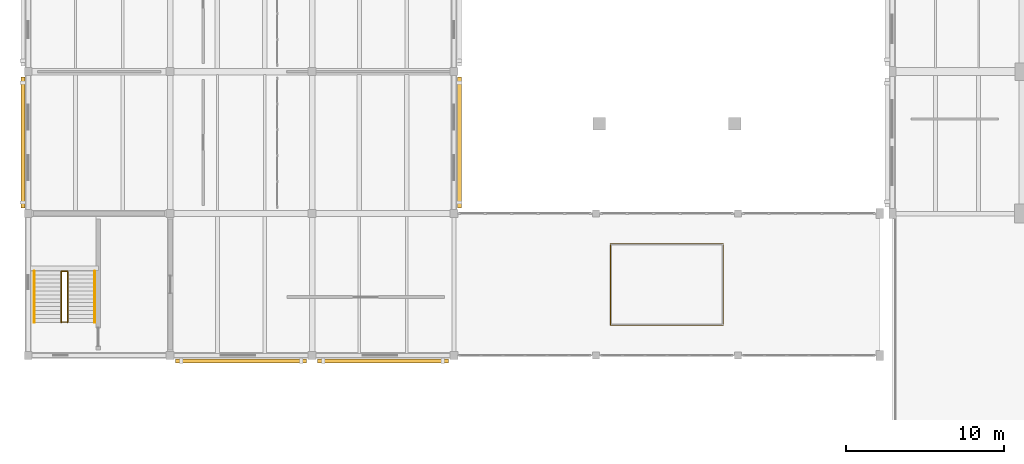
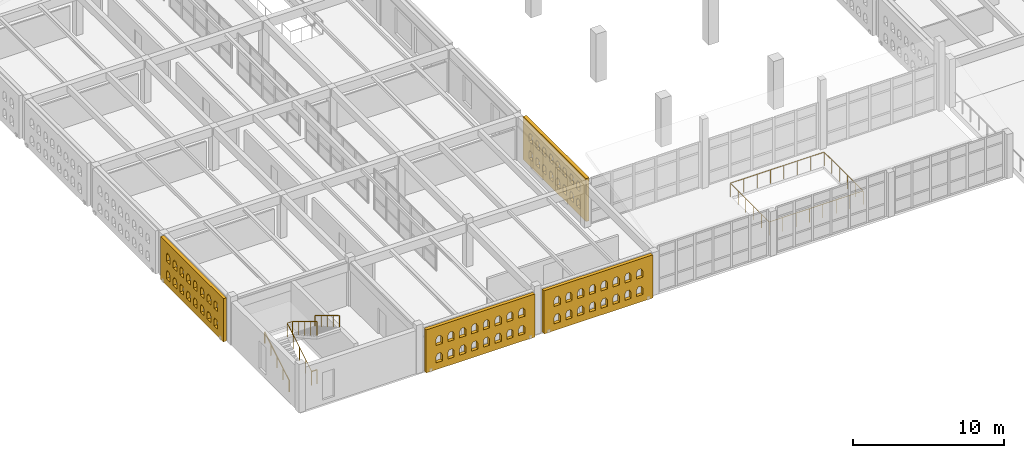
# One storey, part 142 of 156: 5 railings, 4 coverings.
"""IFC4 building model written with IfcOpenShell, lengths in metres."""

from ifc_helpers import new_model, si_unit, direction, frame, origin, origin_2d, place, context, subcontext, project, spatial, polyline, circle, outline, extrude, material, layer, layer_set, type_object, element, save


model = new_model("IFC4")

# Units and contexts
model_context = context("Model", 3, precision=1e-05, world=origin(), true_north=direction((0.0, 1.0)))
body_context = subcontext(model_context, "Body", "Model", "MODEL_VIEW")
ifc_project = project(units=[si_unit("LENGTHUNIT", "METRE"), si_unit("AREAUNIT", "SQUARE_METRE"), si_unit("VOLUMEUNIT", "CUBIC_METRE"), si_unit("PLANEANGLEUNIT", "RADIAN"), si_unit("MASSUNIT", "GRAM", prefix="KILO")], contexts=[model_context])

# Site, building, storey
site_placement = place(None, origin())
site = spatial("IfcSite", under=ifc_project, at=site_placement, CompositionType="ELEMENT")
building_placement = place(site_placement, origin())
building = spatial("IfcBuilding", under=site, at=building_placement, Name="Ornek Quay Market", CompositionType="ELEMENT")
storey_placement = place(building_placement, frame((0.0, 0.0, 4.5)))
storey = spatial("IfcBuildingStorey", under=building, at=storey_placement, Name="L01", CompositionType="ELEMENT", Elevation=4.5)

# Coverings
ifc_material_1 = material(Name="Frost-resistant facing clay brick M200 F100", Category="masonry")
ifc_layer = layer(ifc_material_1, 0.25, Name="Frost-resistant facing clay brick M200 F100", Category="masonry")
ifc_layer_set = layer_set([ifc_layer], Name="Frost-resistant facing clay brick M200 F100")
covering_type = type_object("IfcCoveringType", Name="COV-BRICK-LATTICE-250", PredefinedType="CLADDING", material=ifc_layer_set)
covering_1_placement = place(storey_placement, frame((-0.340087890625, 29.35009765625, 0.0), z_axis=(0.0, 0.0, 1.0), x_axis=(0.0, 1.0, 0.0)))
element("IfcCovering", 1, at=covering_1_placement, inside=storey, type_object=covering_type, Name="Arched brick lattice screen BLS-013", PredefinedType="CLADDING", context=body_context, shape_type="SweptSolid", body=[
    extrude(outline(polyline([(0.0, 0.0), (8.2998046875, 0.0), (8.2998046875, 3.47998046875), (0.0, 3.47998046875), (0.0, 0.0)]), holes=[polyline([(0.760009765625, 0.550048828125), (1.239990234375, 0.550048828125), (1.239990234375, 1.050048828125), (1.1201171875, 1.2578125), (0.8798828125, 1.2578125), (0.760009765625, 1.050048828125), (0.760009765625, 0.550048828125)]), polyline([(0.760009765625, 1.949951171875), (1.239990234375, 1.949951171875), (1.239990234375, 2.449951171875), (1.1201171875, 2.65771484375), (0.8798828125, 2.65771484375), (0.760009765625, 2.449951171875), (0.760009765625, 1.949951171875)]), polyline([(1.659912109375, 0.550048828125), (2.139892578125, 0.550048828125), (2.139892578125, 1.050048828125), (2.02001953125, 1.2578125), (1.780029296875, 1.2578125), (1.659912109375, 1.050048828125), (1.659912109375, 0.550048828125)]), polyline([(1.659912109375, 1.949951171875), (2.139892578125, 1.949951171875), (2.139892578125, 2.449951171875), (2.02001953125, 2.65771484375), (1.780029296875, 2.65771484375), (1.659912109375, 2.449951171875), (1.659912109375, 1.949951171875)]), polyline([(2.56005859375, 0.550048828125), (3.0400390625, 0.550048828125), (3.0400390625, 1.050048828125), (2.919921875, 1.2578125), (2.679931640625, 1.2578125), (2.56005859375, 1.050048828125), (2.56005859375, 0.550048828125)]), polyline([(2.56005859375, 1.949951171875), (3.0400390625, 1.949951171875), (3.0400390625, 2.449951171875), (2.919921875, 2.65771484375), (2.679931640625, 2.65771484375), (2.56005859375, 2.449951171875), (2.56005859375, 1.949951171875)]), polyline([(3.4599609375, 0.550048828125), (3.93994140625, 0.550048828125), (3.93994140625, 1.050048828125), (3.820068359375, 1.2578125), (3.580078125, 1.2578125), (3.4599609375, 1.050048828125), (3.4599609375, 0.550048828125)]), polyline([(3.4599609375, 1.949951171875), (3.93994140625, 1.949951171875), (3.93994140625, 2.449951171875), (3.820068359375, 2.65771484375), (3.580078125, 2.65771484375), (3.4599609375, 2.449951171875), (3.4599609375, 1.949951171875)]), polyline([(4.360107421875, 0.550048828125), (4.840087890625, 0.550048828125), (4.840087890625, 1.050048828125), (4.719970703125, 1.2578125), (4.47998046875, 1.2578125), (4.360107421875, 1.050048828125), (4.360107421875, 0.550048828125)]), polyline([(4.360107421875, 1.949951171875), (4.840087890625, 1.949951171875), (4.840087890625, 2.449951171875), (4.719970703125, 2.65771484375), (4.47998046875, 2.65771484375), (4.360107421875, 2.449951171875), (4.360107421875, 1.949951171875)]), polyline([(5.260009765625, 0.550048828125), (5.739990234375, 0.550048828125), (5.739990234375, 1.050048828125), (5.6201171875, 1.2578125), (5.3798828125, 1.2578125), (5.260009765625, 1.050048828125), (5.260009765625, 0.550048828125)]), polyline([(5.260009765625, 1.949951171875), (5.739990234375, 1.949951171875), (5.739990234375, 2.449951171875), (5.6201171875, 2.65771484375), (5.3798828125, 2.65771484375), (5.260009765625, 2.449951171875), (5.260009765625, 1.949951171875)]), polyline([(6.159912109375, 0.550048828125), (6.639892578125, 0.550048828125), (6.639892578125, 1.050048828125), (6.52001953125, 1.2578125), (6.280029296875, 1.2578125), (6.159912109375, 1.050048828125), (6.159912109375, 0.550048828125)]), polyline([(6.159912109375, 1.949951171875), (6.639892578125, 1.949951171875), (6.639892578125, 2.449951171875), (6.52001953125, 2.65771484375), (6.280029296875, 2.65771484375), (6.159912109375, 2.449951171875), (6.159912109375, 1.949951171875)]), polyline([(7.06005859375, 0.550048828125), (7.5400390625, 0.550048828125), (7.5400390625, 1.050048828125), (7.419921875, 1.2578125), (7.179931640625, 1.2578125), (7.06005859375, 1.050048828125), (7.06005859375, 0.550048828125)]), polyline([(7.06005859375, 1.949951171875), (7.5400390625, 1.949951171875), (7.5400390625, 2.449951171875), (7.419921875, 2.65771484375), (7.179931640625, 2.65771484375), (7.06005859375, 2.449951171875), (7.06005859375, 1.949951171875)])]), frame((0.0, 0.125, 0.0), z_axis=(0.0, -1.0, 0.0), x_axis=(1.0, 0.0, 0.0)), (0.0, 0.0, 1.0), 0.25),
])
covering_2_placement = place(storey_placement, frame((27.340087890625, 29.35009765625, 0.0), z_axis=(0.0, 0.0, 1.0), x_axis=(0.0, 1.0, 0.0)))
element("IfcCovering", 2, at=covering_2_placement, inside=storey, type_object=covering_type, Name="Arched brick lattice screen BLS-021", PredefinedType="CLADDING", context=body_context, shape_type="SweptSolid", body=[
    extrude(outline(polyline([(0.0, 0.0), (8.2998046875, 0.0), (8.2998046875, 3.47998046875), (0.0, 3.47998046875), (0.0, 0.0)]), holes=[polyline([(0.760009765625, 0.550048828125), (1.239990234375, 0.550048828125), (1.239990234375, 1.050048828125), (1.1201171875, 1.2578125), (0.8798828125, 1.2578125), (0.760009765625, 1.050048828125), (0.760009765625, 0.550048828125)]), polyline([(0.760009765625, 1.949951171875), (1.239990234375, 1.949951171875), (1.239990234375, 2.449951171875), (1.1201171875, 2.65771484375), (0.8798828125, 2.65771484375), (0.760009765625, 2.449951171875), (0.760009765625, 1.949951171875)]), polyline([(1.659912109375, 0.550048828125), (2.139892578125, 0.550048828125), (2.139892578125, 1.050048828125), (2.02001953125, 1.2578125), (1.780029296875, 1.2578125), (1.659912109375, 1.050048828125), (1.659912109375, 0.550048828125)]), polyline([(1.659912109375, 1.949951171875), (2.139892578125, 1.949951171875), (2.139892578125, 2.449951171875), (2.02001953125, 2.65771484375), (1.780029296875, 2.65771484375), (1.659912109375, 2.449951171875), (1.659912109375, 1.949951171875)]), polyline([(2.56005859375, 0.550048828125), (3.0400390625, 0.550048828125), (3.0400390625, 1.050048828125), (2.919921875, 1.2578125), (2.679931640625, 1.2578125), (2.56005859375, 1.050048828125), (2.56005859375, 0.550048828125)]), polyline([(2.56005859375, 1.949951171875), (3.0400390625, 1.949951171875), (3.0400390625, 2.449951171875), (2.919921875, 2.65771484375), (2.679931640625, 2.65771484375), (2.56005859375, 2.449951171875), (2.56005859375, 1.949951171875)]), polyline([(3.4599609375, 0.550048828125), (3.93994140625, 0.550048828125), (3.93994140625, 1.050048828125), (3.820068359375, 1.2578125), (3.580078125, 1.2578125), (3.4599609375, 1.050048828125), (3.4599609375, 0.550048828125)]), polyline([(3.4599609375, 1.949951171875), (3.93994140625, 1.949951171875), (3.93994140625, 2.449951171875), (3.820068359375, 2.65771484375), (3.580078125, 2.65771484375), (3.4599609375, 2.449951171875), (3.4599609375, 1.949951171875)]), polyline([(4.360107421875, 0.550048828125), (4.840087890625, 0.550048828125), (4.840087890625, 1.050048828125), (4.719970703125, 1.2578125), (4.47998046875, 1.2578125), (4.360107421875, 1.050048828125), (4.360107421875, 0.550048828125)]), polyline([(4.360107421875, 1.949951171875), (4.840087890625, 1.949951171875), (4.840087890625, 2.449951171875), (4.719970703125, 2.65771484375), (4.47998046875, 2.65771484375), (4.360107421875, 2.449951171875), (4.360107421875, 1.949951171875)]), polyline([(5.260009765625, 0.550048828125), (5.739990234375, 0.550048828125), (5.739990234375, 1.050048828125), (5.6201171875, 1.2578125), (5.3798828125, 1.2578125), (5.260009765625, 1.050048828125), (5.260009765625, 0.550048828125)]), polyline([(5.260009765625, 1.949951171875), (5.739990234375, 1.949951171875), (5.739990234375, 2.449951171875), (5.6201171875, 2.65771484375), (5.3798828125, 2.65771484375), (5.260009765625, 2.449951171875), (5.260009765625, 1.949951171875)]), polyline([(6.159912109375, 0.550048828125), (6.639892578125, 0.550048828125), (6.639892578125, 1.050048828125), (6.52001953125, 1.2578125), (6.280029296875, 1.2578125), (6.159912109375, 1.050048828125), (6.159912109375, 0.550048828125)]), polyline([(6.159912109375, 1.949951171875), (6.639892578125, 1.949951171875), (6.639892578125, 2.449951171875), (6.52001953125, 2.65771484375), (6.280029296875, 2.65771484375), (6.159912109375, 2.449951171875), (6.159912109375, 1.949951171875)]), polyline([(7.06005859375, 0.550048828125), (7.5400390625, 0.550048828125), (7.5400390625, 1.050048828125), (7.419921875, 1.2578125), (7.179931640625, 1.2578125), (7.06005859375, 1.050048828125), (7.06005859375, 0.550048828125)]), polyline([(7.06005859375, 1.949951171875), (7.5400390625, 1.949951171875), (7.5400390625, 2.449951171875), (7.419921875, 2.65771484375), (7.179931640625, 2.65771484375), (7.06005859375, 2.449951171875), (7.06005859375, 1.949951171875)])]), frame((0.0, 0.125, 0.0), z_axis=(0.0, -1.0, 0.0), x_axis=(1.0, 0.0, 0.0)), (0.0, 0.0, 1.0), 0.25),
])
covering_3_placement = place(storey_placement, frame((9.35009765625, 19.659912109375, 0.0), z_axis=(0.0, 0.0, 1.0), x_axis=(1.0, 0.0, 0.0)))
element("IfcCovering", 3, at=covering_3_placement, inside=storey, type_object=covering_type, Name="Arched brick lattice screen BLS-028", PredefinedType="CLADDING", context=body_context, shape_type="SweptSolid", body=[
    extrude(outline(polyline([(0.0, 0.0), (8.2998046875, 0.0), (8.2998046875, 3.47998046875), (0.0, 3.47998046875), (0.0, 0.0)]), holes=[polyline([(0.760009765625, 0.550048828125), (1.239990234375, 0.550048828125), (1.239990234375, 1.050048828125), (1.1201171875, 1.2578125), (0.8798828125, 1.2578125), (0.760009765625, 1.050048828125), (0.760009765625, 0.550048828125)]), polyline([(0.760009765625, 1.949951171875), (1.239990234375, 1.949951171875), (1.239990234375, 2.449951171875), (1.1201171875, 2.65771484375), (0.8798828125, 2.65771484375), (0.760009765625, 2.449951171875), (0.760009765625, 1.949951171875)]), polyline([(1.659912109375, 0.550048828125), (2.139892578125, 0.550048828125), (2.139892578125, 1.050048828125), (2.02001953125, 1.2578125), (1.780029296875, 1.2578125), (1.659912109375, 1.050048828125), (1.659912109375, 0.550048828125)]), polyline([(1.659912109375, 1.949951171875), (2.139892578125, 1.949951171875), (2.139892578125, 2.449951171875), (2.02001953125, 2.65771484375), (1.780029296875, 2.65771484375), (1.659912109375, 2.449951171875), (1.659912109375, 1.949951171875)]), polyline([(2.56005859375, 0.550048828125), (3.0400390625, 0.550048828125), (3.0400390625, 1.050048828125), (2.919921875, 1.2578125), (2.679931640625, 1.2578125), (2.56005859375, 1.050048828125), (2.56005859375, 0.550048828125)]), polyline([(2.56005859375, 1.949951171875), (3.0400390625, 1.949951171875), (3.0400390625, 2.449951171875), (2.919921875, 2.65771484375), (2.679931640625, 2.65771484375), (2.56005859375, 2.449951171875), (2.56005859375, 1.949951171875)]), polyline([(3.4599609375, 0.550048828125), (3.93994140625, 0.550048828125), (3.93994140625, 1.050048828125), (3.820068359375, 1.2578125), (3.580078125, 1.2578125), (3.4599609375, 1.050048828125), (3.4599609375, 0.550048828125)]), polyline([(3.4599609375, 1.949951171875), (3.93994140625, 1.949951171875), (3.93994140625, 2.449951171875), (3.820068359375, 2.65771484375), (3.580078125, 2.65771484375), (3.4599609375, 2.449951171875), (3.4599609375, 1.949951171875)]), polyline([(4.360107421875, 0.550048828125), (4.840087890625, 0.550048828125), (4.840087890625, 1.050048828125), (4.719970703125, 1.2578125), (4.47998046875, 1.2578125), (4.360107421875, 1.050048828125), (4.360107421875, 0.550048828125)]), polyline([(4.360107421875, 1.949951171875), (4.840087890625, 1.949951171875), (4.840087890625, 2.449951171875), (4.719970703125, 2.65771484375), (4.47998046875, 2.65771484375), (4.360107421875, 2.449951171875), (4.360107421875, 1.949951171875)]), polyline([(5.260009765625, 0.550048828125), (5.739990234375, 0.550048828125), (5.739990234375, 1.050048828125), (5.6201171875, 1.2578125), (5.3798828125, 1.2578125), (5.260009765625, 1.050048828125), (5.260009765625, 0.550048828125)]), polyline([(5.260009765625, 1.949951171875), (5.739990234375, 1.949951171875), (5.739990234375, 2.449951171875), (5.6201171875, 2.65771484375), (5.3798828125, 2.65771484375), (5.260009765625, 2.449951171875), (5.260009765625, 1.949951171875)]), polyline([(6.159912109375, 0.550048828125), (6.639892578125, 0.550048828125), (6.639892578125, 1.050048828125), (6.52001953125, 1.2578125), (6.280029296875, 1.2578125), (6.159912109375, 1.050048828125), (6.159912109375, 0.550048828125)]), polyline([(6.159912109375, 1.949951171875), (6.639892578125, 1.949951171875), (6.639892578125, 2.449951171875), (6.52001953125, 2.65771484375), (6.280029296875, 2.65771484375), (6.159912109375, 2.449951171875), (6.159912109375, 1.949951171875)]), polyline([(7.06005859375, 0.550048828125), (7.5400390625, 0.550048828125), (7.5400390625, 1.050048828125), (7.419921875, 1.2578125), (7.179931640625, 1.2578125), (7.06005859375, 1.050048828125), (7.06005859375, 0.550048828125)]), polyline([(7.06005859375, 1.949951171875), (7.5400390625, 1.949951171875), (7.5400390625, 2.449951171875), (7.419921875, 2.65771484375), (7.179931640625, 2.65771484375), (7.06005859375, 2.449951171875), (7.06005859375, 1.949951171875)])]), frame((0.0, 0.125, 0.0), z_axis=(0.0, -1.0, 0.0), x_axis=(1.0, 0.0, 0.0)), (0.0, 0.0, 1.0), 0.25),
])
covering_4_placement = place(storey_placement, frame((18.35009765625, 19.659912109375, 0.0), z_axis=(0.0, 0.0, 1.0), x_axis=(1.0, 0.0, 0.0)))
element("IfcCovering", 4, at=covering_4_placement, inside=storey, type_object=covering_type, Name="Arched brick lattice screen BLS-029", PredefinedType="CLADDING", context=body_context, shape_type="SweptSolid", body=[
    extrude(outline(polyline([(0.0, 0.0), (8.2998046875, 0.0), (8.2998046875, 3.47998046875), (0.0, 3.47998046875), (0.0, 0.0)]), holes=[polyline([(0.760009765625, 0.550048828125), (1.239990234375, 0.550048828125), (1.239990234375, 1.050048828125), (1.1201171875, 1.2578125), (0.8798828125, 1.2578125), (0.760009765625, 1.050048828125), (0.760009765625, 0.550048828125)]), polyline([(0.760009765625, 1.949951171875), (1.239990234375, 1.949951171875), (1.239990234375, 2.449951171875), (1.1201171875, 2.65771484375), (0.8798828125, 2.65771484375), (0.760009765625, 2.449951171875), (0.760009765625, 1.949951171875)]), polyline([(1.659912109375, 0.550048828125), (2.139892578125, 0.550048828125), (2.139892578125, 1.050048828125), (2.02001953125, 1.2578125), (1.780029296875, 1.2578125), (1.659912109375, 1.050048828125), (1.659912109375, 0.550048828125)]), polyline([(1.659912109375, 1.949951171875), (2.139892578125, 1.949951171875), (2.139892578125, 2.449951171875), (2.02001953125, 2.65771484375), (1.780029296875, 2.65771484375), (1.659912109375, 2.449951171875), (1.659912109375, 1.949951171875)]), polyline([(2.56005859375, 0.550048828125), (3.0400390625, 0.550048828125), (3.0400390625, 1.050048828125), (2.919921875, 1.2578125), (2.679931640625, 1.2578125), (2.56005859375, 1.050048828125), (2.56005859375, 0.550048828125)]), polyline([(2.56005859375, 1.949951171875), (3.0400390625, 1.949951171875), (3.0400390625, 2.449951171875), (2.919921875, 2.65771484375), (2.679931640625, 2.65771484375), (2.56005859375, 2.449951171875), (2.56005859375, 1.949951171875)]), polyline([(3.4599609375, 0.550048828125), (3.93994140625, 0.550048828125), (3.93994140625, 1.050048828125), (3.820068359375, 1.2578125), (3.580078125, 1.2578125), (3.4599609375, 1.050048828125), (3.4599609375, 0.550048828125)]), polyline([(3.4599609375, 1.949951171875), (3.93994140625, 1.949951171875), (3.93994140625, 2.449951171875), (3.820068359375, 2.65771484375), (3.580078125, 2.65771484375), (3.4599609375, 2.449951171875), (3.4599609375, 1.949951171875)]), polyline([(4.360107421875, 0.550048828125), (4.840087890625, 0.550048828125), (4.840087890625, 1.050048828125), (4.719970703125, 1.2578125), (4.47998046875, 1.2578125), (4.360107421875, 1.050048828125), (4.360107421875, 0.550048828125)]), polyline([(4.360107421875, 1.949951171875), (4.840087890625, 1.949951171875), (4.840087890625, 2.449951171875), (4.719970703125, 2.65771484375), (4.47998046875, 2.65771484375), (4.360107421875, 2.449951171875), (4.360107421875, 1.949951171875)]), polyline([(5.260009765625, 0.550048828125), (5.739990234375, 0.550048828125), (5.739990234375, 1.050048828125), (5.6201171875, 1.2578125), (5.3798828125, 1.2578125), (5.260009765625, 1.050048828125), (5.260009765625, 0.550048828125)]), polyline([(5.260009765625, 1.949951171875), (5.739990234375, 1.949951171875), (5.739990234375, 2.449951171875), (5.6201171875, 2.65771484375), (5.3798828125, 2.65771484375), (5.260009765625, 2.449951171875), (5.260009765625, 1.949951171875)]), polyline([(6.159912109375, 0.550048828125), (6.639892578125, 0.550048828125), (6.639892578125, 1.050048828125), (6.52001953125, 1.2578125), (6.280029296875, 1.2578125), (6.159912109375, 1.050048828125), (6.159912109375, 0.550048828125)]), polyline([(6.159912109375, 1.949951171875), (6.639892578125, 1.949951171875), (6.639892578125, 2.449951171875), (6.52001953125, 2.65771484375), (6.280029296875, 2.65771484375), (6.159912109375, 2.449951171875), (6.159912109375, 1.949951171875)]), polyline([(7.06005859375, 0.550048828125), (7.5400390625, 0.550048828125), (7.5400390625, 1.050048828125), (7.419921875, 1.2578125), (7.179931640625, 1.2578125), (7.06005859375, 1.050048828125), (7.06005859375, 0.550048828125)]), polyline([(7.06005859375, 1.949951171875), (7.5400390625, 1.949951171875), (7.5400390625, 2.449951171875), (7.419921875, 2.65771484375), (7.179931640625, 2.65771484375), (7.06005859375, 2.449951171875), (7.06005859375, 1.949951171875)])]), frame((0.0, 0.125, 0.0), z_axis=(0.0, -1.0, 0.0), x_axis=(1.0, 0.0, 0.0)), (0.0, 0.0, 1.0), 0.25),
])

# Railings
ifc_material_2 = material(Name="Painted steel S355 and vertical infill bars", Category="steel")
railing_type_1 = type_object("IfcRailingType", Name="RL-GUARD-GAL-1100", PredefinedType="GUARDRAIL", material=ifc_material_2)
railing_1_placement = place(storey_placement, frame((36.919921875, 21.919921875, 0.0)))
element("IfcRailing", 5, at=railing_1_placement, inside=storey, type_object=railing_type_1, Name="Railing GR-01-133", PredefinedType="GUARDRAIL", context=body_context, shape_type="SweptSolid", body=[
    extrude(circle(Radius=0.02392578125, at=origin_2d()), frame((0.0, 0.0, 1.09619140625), z_axis=(1.0, 0.0, 0.0), x_axis=(0.0, 1.0, 0.0)), (0.0, 0.0, 1.0), 7.130126953125),
    extrude(circle(Radius=0.02392578125, at=origin_2d()), frame((7.16015625, 0.030029296875, 1.09619140625), z_axis=(0.0, 1.0, 0.0), x_axis=(-1.0, 0.0, 0.0)), (0.0, 0.0, 1.0), 5.10009765625),
    extrude(circle(Radius=0.02392578125, at=origin_2d()), frame((7.130126953125, 5.16015625, 1.09619140625), z_axis=(-1.0, 0.0, 0.0), x_axis=(0.0, -1.0, 0.0)), (0.0, 0.0, 1.0), 7.10009765625),
    extrude(circle(Radius=0.02392578125, at=origin_2d()), frame((0.0, 5.130126953125, 1.09619140625), z_axis=(0.0, -1.0, 0.0), x_axis=(1.0, 0.0, 0.0)), (0.0, 0.0, 1.0), 5.130126953125),
    extrude(circle(Radius=0.02099609375, at=origin_2d()), origin(), (0.0, 0.0, 1.0), 1.068115234375),
    extrude(circle(Radius=0.02099609375, at=origin_2d()), frame((1.02294921875, 0.0, 0.0)), (0.0, 0.0, 1.0), 1.068115234375),
    extrude(circle(Radius=0.02099609375, at=origin_2d()), frame((2.045654296875, 0.0, 0.0)), (0.0, 0.0, 1.0), 1.068115234375),
    extrude(circle(Radius=0.02099609375, at=origin_2d()), frame((3.068603515625, 0.0, 0.0)), (0.0, 0.0, 1.0), 1.068115234375),
    extrude(circle(Radius=0.02099609375, at=origin_2d()), frame((4.091552734375, 0.0, 0.0)), (0.0, 0.0, 1.0), 1.068115234375),
    extrude(circle(Radius=0.02099609375, at=origin_2d()), frame((5.114501953125, 0.0, 0.0)), (0.0, 0.0, 1.0), 1.068115234375),
    extrude(circle(Radius=0.02099609375, at=origin_2d()), frame((6.13720703125, 0.0, 0.0)), (0.0, 0.0, 1.0), 1.068115234375),
    extrude(circle(Radius=0.02099609375, at=origin_2d()), frame((7.16015625, 0.0, 0.0)), (0.0, 0.0, 1.0), 1.068115234375),
    extrude(circle(Radius=0.02099609375, at=origin_2d()), frame((7.16015625, 1.031982421875, 0.0)), (0.0, 0.0, 1.0), 1.068115234375),
    extrude(circle(Radius=0.02099609375, at=origin_2d()), frame((7.16015625, 2.06396484375, 0.0)), (0.0, 0.0, 1.0), 1.068115234375),
    extrude(circle(Radius=0.02099609375, at=origin_2d()), frame((7.16015625, 3.09619140625, 0.0)), (0.0, 0.0, 1.0), 1.068115234375),
    extrude(circle(Radius=0.02099609375, at=origin_2d()), frame((7.16015625, 4.128173828125, 0.0)), (0.0, 0.0, 1.0), 1.068115234375),
    extrude(circle(Radius=0.02099609375, at=origin_2d()), frame((7.16015625, 5.16015625, 0.0)), (0.0, 0.0, 1.0), 1.068115234375),
    extrude(circle(Radius=0.02099609375, at=origin_2d()), frame((6.13720703125, 5.16015625, 0.0)), (0.0, 0.0, 1.0), 1.068115234375),
    extrude(circle(Radius=0.02099609375, at=origin_2d()), frame((5.114501953125, 5.16015625, 0.0)), (0.0, 0.0, 1.0), 1.068115234375),
    extrude(circle(Radius=0.02099609375, at=origin_2d()), frame((4.091552734375, 5.16015625, 0.0)), (0.0, 0.0, 1.0), 1.068115234375),
    extrude(circle(Radius=0.02099609375, at=origin_2d()), frame((3.068603515625, 5.16015625, 0.0)), (0.0, 0.0, 1.0), 1.068115234375),
    extrude(circle(Radius=0.02099609375, at=origin_2d()), frame((2.045654296875, 5.16015625, 0.0)), (0.0, 0.0, 1.0), 1.068115234375),
    extrude(circle(Radius=0.02099609375, at=origin_2d()), frame((1.02294921875, 5.16015625, 0.0)), (0.0, 0.0, 1.0), 1.068115234375),
    extrude(circle(Radius=0.02099609375, at=origin_2d()), frame((0.0, 5.16015625, 0.0)), (0.0, 0.0, 1.0), 1.068115234375),
    extrude(circle(Radius=0.02099609375, at=origin_2d()), frame((0.0, 4.128173828125, 0.0)), (0.0, 0.0, 1.0), 1.068115234375),
    extrude(circle(Radius=0.02099609375, at=origin_2d()), frame((0.0, 3.09619140625, 0.0)), (0.0, 0.0, 1.0), 1.068115234375),
    extrude(circle(Radius=0.02099609375, at=origin_2d()), frame((0.0, 2.06396484375, 0.0)), (0.0, 0.0, 1.0), 1.068115234375),
    extrude(circle(Radius=0.02099609375, at=origin_2d()), frame((0.0, 1.031982421875, 0.0)), (0.0, 0.0, 1.0), 1.068115234375),
])
ifc_material_3 = material(Name="Brushed stainless steel 316", Category="steel")
railing_type_2 = type_object("IfcRailingType", Name="RL-GUARD-STAIR-1100", PredefinedType="GUARDRAIL", material=ifc_material_3)
railing_2_placement = place(storey_placement, frame((2.10009765625, 22.1201171875, 0.0)))
element("IfcRailing", 6, at=railing_2_placement, inside=storey, type_object=railing_type_2, Name="Railing GR-03-008", PredefinedType="GUARDRAIL", context=body_context, shape_type="SweptSolid", body=[
    extrude(circle(Radius=0.02392578125, at=origin_2d()), frame((0.0, 0.0, 1.09619140625), z_axis=(1.0, 0.0, 0.0), x_axis=(0.0, 1.0, 0.0)), (0.0, 0.0, 1.0), 0.39990234375),
    extrude(circle(Radius=0.02099609375, at=origin_2d()), origin(), (0.0, 0.0, 1.0), 1.068115234375),
    extrude(circle(Radius=0.02099609375, at=origin_2d()), frame((0.39990234375, 0.0, 0.0)), (0.0, 0.0, 1.0), 1.068115234375),
])
railing_3_placement = place(storey_placement, frame((2.10009765625, 22.095947265625, 0.0)))
element("IfcRailing", 7, at=railing_3_placement, inside=storey, type_object=railing_type_2, Name="Railing GR-03-009", PredefinedType="GUARDRAIL", context=body_context, shape_type="SweptSolid", body=[
    extrude(circle(Radius=0.02392578125, at=origin_2d()), frame((0.0, 0.0, 1.09619140625), z_axis=(0.0, 0.857225438961, 0.514941304226), x_axis=(-1.0, 0.0, 0.0)), (0.0, 0.0, 1.0), 3.7568359375),
    extrude(circle(Radius=0.02392578125, at=origin_2d()), frame((0.030029296875, 3.24609375, 3.0458984375), z_axis=(1.0, 0.0, 0.0), x_axis=(0.0, 1.0, 0.0)), (0.0, 0.0, 1.0), 0.33984375),
    extrude(circle(Radius=0.02392578125, at=origin_2d()), frame((0.39990234375, 3.220458984375, 3.0615234375), z_axis=(0.0, -0.856934400257, 0.515425487977), x_axis=(1.0, 0.0, 0.0)), (0.0, 0.0, 1.0), 3.753173828125),
    extrude(circle(Radius=0.02099609375, at=origin_2d()), origin(), (0.0, 0.0, 1.0), 1.068115234375),
    extrude(circle(Radius=0.02099609375, at=origin_2d()), frame((0.0, 0.8115234375, 0.487548828125)), (0.0, 0.0, 1.0), 1.068115234375),
    extrude(circle(Radius=0.02099609375, at=origin_2d()), frame((0.0, 1.623046875, 0.97509765625)), (0.0, 0.0, 1.0), 1.068115234375),
    extrude(circle(Radius=0.02099609375, at=origin_2d()), frame((0.0, 2.4345703125, 1.46240234375)), (0.0, 0.0, 1.0), 1.068115234375),
    extrude(circle(Radius=0.02099609375, at=origin_2d()), frame((0.0, 3.24609375, 1.949951171875)), (0.0, 0.0, 1.0), 1.068115234375),
    extrude(circle(Radius=0.02099609375, at=origin_2d()), frame((0.39990234375, 3.24609375, 1.949951171875)), (0.0, 0.0, 1.0), 1.068115234375),
    extrude(circle(Radius=0.02099609375, at=origin_2d()), frame((0.39990234375, 2.435546875, 2.4375)), (0.0, 0.0, 1.0), 1.068115234375),
    extrude(circle(Radius=0.02099609375, at=origin_2d()), frame((0.39990234375, 1.625, 2.9248046875)), (0.0, 0.0, 1.0), 1.068115234375),
    extrude(circle(Radius=0.02099609375, at=origin_2d()), frame((0.39990234375, 0.814697265625, 3.412353515625)), (0.0, 0.0, 1.0), 1.068115234375),
    extrude(circle(Radius=0.02099609375, at=origin_2d()), frame((0.39990234375, 0.004150390625, 3.89990234375)), (0.0, 0.0, 1.0), 1.068115234375),
])
railing_type_3 = type_object("IfcRailingType", Name="RL-HANDRAIL-920", PredefinedType="HANDRAIL", material=ifc_material_3)
railing_4_placement = place(storey_placement, frame((0.3798828125, 22.095947265625, 0.080078125)))
element("IfcRailing", 8, at=railing_4_placement, inside=storey, type_object=railing_type_3, Name="Railing HR-01-010", PredefinedType="HANDRAIL", context=body_context, shape_type="SweptSolid", body=[
    extrude(circle(Radius=0.02392578125, at=origin_2d()), frame((0.0, 0.0, 0.89599609375), z_axis=(0.0, 0.857225438961, 0.514941304226), x_axis=(-1.0, 0.0, 0.0)), (0.0, 0.0, 1.0), 3.786865234375),
    extrude(circle(Radius=0.02099609375, at=origin_2d()), origin(), (0.0, 0.0, 1.0), 0.867919921875),
    extrude(circle(Radius=0.02099609375, at=origin_2d()), frame((0.0, 0.8115234375, 0.487548828125)), (0.0, 0.0, 1.0), 0.867919921875),
    extrude(circle(Radius=0.02099609375, at=origin_2d()), frame((0.0, 1.623046875, 0.97509765625)), (0.0, 0.0, 1.0), 0.867919921875),
    extrude(circle(Radius=0.02099609375, at=origin_2d()), frame((0.0, 2.4345703125, 1.46240234375)), (0.0, 0.0, 1.0), 0.867919921875),
    extrude(circle(Radius=0.02099609375, at=origin_2d()), frame((0.0, 3.24609375, 1.949951171875)), (0.0, 0.0, 1.0), 0.867919921875),
])
railing_5_placement = place(storey_placement, frame((4.219970703125, 25.342041015625, 2.030029296875)))
element("IfcRailing", 9, at=railing_5_placement, inside=storey, type_object=railing_type_3, Name="Railing HR-01-011", PredefinedType="HANDRAIL", context=body_context, shape_type="SweptSolid", body=[
    extrude(circle(Radius=0.02392578125, at=origin_2d()), frame((0.0, 0.0, 0.89599609375), z_axis=(0.0, -0.856934400257, 0.515425487977), x_axis=(1.0, 0.0, 0.0)), (0.0, 0.0, 1.0), 3.783203125),
    extrude(circle(Radius=0.02099609375, at=origin_2d()), origin(), (0.0, 0.0, 1.0), 0.867919921875),
    extrude(circle(Radius=0.02099609375, at=origin_2d()), frame((0.0, -0.810546875, 0.487548828125)), (0.0, 0.0, 1.0), 0.867919921875),
    extrude(circle(Radius=0.02099609375, at=origin_2d()), frame((0.0, -1.62109375, 0.97509765625)), (0.0, 0.0, 1.0), 0.867919921875),
    extrude(circle(Radius=0.02099609375, at=origin_2d()), frame((0.0, -2.431396484375, 1.46240234375)), (0.0, 0.0, 1.0), 0.867919921875),
    extrude(circle(Radius=0.02099609375, at=origin_2d()), frame((0.0, -3.241943359375, 1.949951171875)), (0.0, 0.0, 1.0), 0.867919921875),
])

save(model, "model.ifc")
